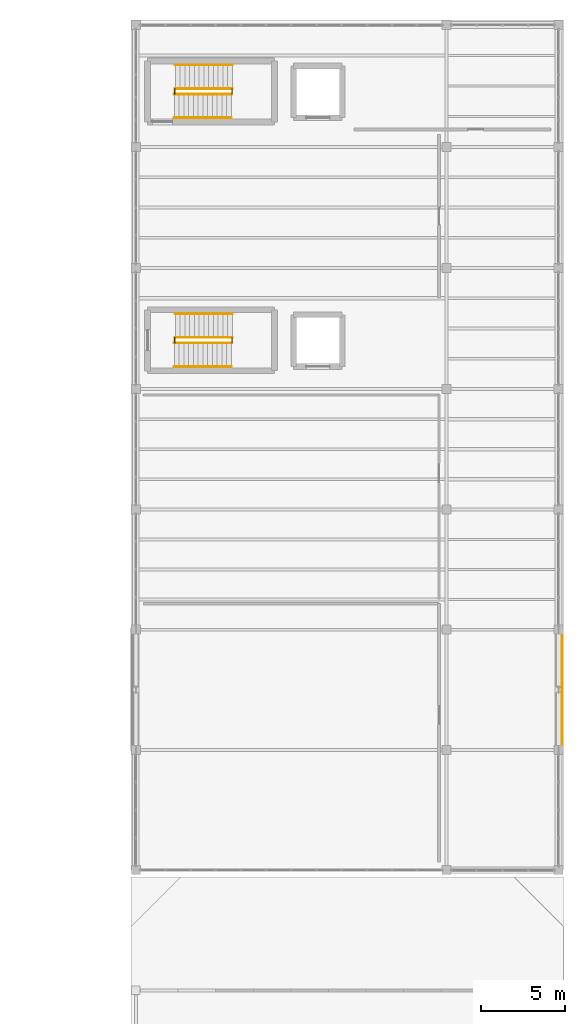
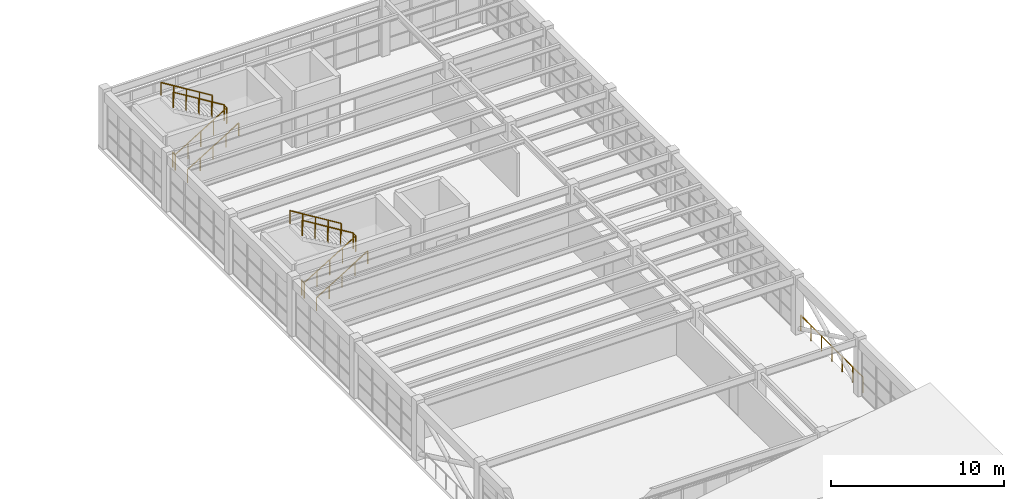
# One storey, part 66 of 66: 13 railings.
"""IFC4 building model written with IfcOpenShell, lengths in metres."""

import ifcopenshell
import ifcopenshell.guid

model = None  # the IFC model being written
_history = None  # IfcOwnerHistory: only IFC2X3 demands one
_inside = {}  # id of a spatial element -> (the spatial element, [elements in it])
_under = {}  # id of a project, library or spatial element -> (it, [spatial elements below it])
_declared = {}  # id of a project -> (the project, [libraries it declares])
_typed = {}  # id of a type object -> (the type object, [elements of that type])
_made_of = {}  # id of a material, layer set ... -> (it, [elements and type objects made of it])


def new_model(schema):
    """Start an empty IFC model of exactly this schema.

    Asked for "IFC4X3", IfcOpenShell would pick the latest addendum, in which some entities
    have other attributes; the version numbers below select the first issue.
    IFC2X3 requires an IfcOwnerHistory on every rooted entity: one is made here for all.
    """
    global model, _history
    if schema == "IFC4X3":
        model = ifcopenshell.file(schema_version=(4, 3, 0, 0))
    else:
        model = ifcopenshell.file(schema=schema)
    _inside.clear()
    _under.clear()
    _declared.clear()
    _typed.clear()
    _made_of.clear()
    _history = None
    if model.schema == "IFC2X3":
        org = make("IfcOrganization", Name="unknown")
        user = make(
            "IfcPersonAndOrganization",
            ThePerson=make("IfcPerson", FamilyName="unknown"),
            TheOrganization=org,
        )
        app = make(
            "IfcApplication",
            ApplicationDeveloper=org,
            Version="unknown",
            ApplicationFullName="unknown",
            ApplicationIdentifier="unknown",
        )
        _history = make(
            "IfcOwnerHistory",
            OwningUser=user,
            OwningApplication=app,
            ChangeAction="ADDED",
            CreationDate=0,
        )
    return model


def make(cls, **values):
    """One entity of the class cls with the attributes given. An attribute that is None is left unset."""
    return model.create_entity(
        cls, **{name: value for name, value in values.items() if value is not None}
    )


def rooted(cls, **values):
    """An entity with a GlobalId (a new one), such as an element, a storey or a relation."""
    return make(cls, GlobalId=ifcopenshell.guid.new(), OwnerHistory=_history, **values)


def si_unit(unit_type, name, prefix=None):
    """IfcSIUnit, for example si_unit("LENGTHUNIT", "METRE", prefix="MILLI")."""
    return make("IfcSIUnit", UnitType=unit_type, Prefix=prefix, Name=name)


def assignment(units):
    """IfcUnitAssignment: the units of a project."""
    return None if units is None else make("IfcUnitAssignment", Units=units)


def point(xyz):
    """IfcCartesianPoint."""
    return None if xyz is None else make("IfcCartesianPoint", Coordinates=xyz)


def direction(xyz):
    """IfcDirection."""
    return None if xyz is None else make("IfcDirection", DirectionRatios=xyz)


def frame(location, z_axis=None, x_axis=None):
    """IfcAxis2Placement3D, a coordinate frame: its origin and axes. An axis left out is left unset."""
    return make(
        "IfcAxis2Placement3D",
        Location=point(location),
        Axis=direction(z_axis),
        RefDirection=direction(x_axis),
    )


def frame_2d(location, x_axis=None):
    """IfcAxis2Placement2D, a coordinate frame in the plane: its origin and x axis."""
    return make(
        "IfcAxis2Placement2D", Location=point(location), RefDirection=direction(x_axis)
    )


def origin():
    """The frame at (0, 0, 0) with its axes left unset."""
    return frame((0.0, 0.0, 0.0))


def origin_2d():
    """The frame at (0, 0) in the plane with its x axis left unset."""
    return frame_2d((0.0, 0.0))


def place(relative_to, where):
    """IfcLocalPlacement: puts the frame where relative to a parent placement (None: the world)."""
    return make(
        "IfcLocalPlacement", PlacementRelTo=relative_to, RelativePlacement=where
    )


def context(
    kind, dimensions, precision=None, world=None, true_north=None, identifier=None
):
    """IfcGeometricRepresentationContext, for example the 3D "Model" context."""
    return make(
        "IfcGeometricRepresentationContext",
        ContextIdentifier=identifier,
        ContextType=kind,
        CoordinateSpaceDimension=dimensions,
        Precision=precision,
        WorldCoordinateSystem=world,
        TrueNorth=true_north,
    )


def subcontext(parent, identifier, kind, view, scale=None):
    """IfcGeometricRepresentationSubContext, for example "Body" below "Model"."""
    return make(
        "IfcGeometricRepresentationSubContext",
        ContextIdentifier=identifier,
        ContextType=kind,
        ParentContext=parent,
        TargetScale=scale,
        TargetView=view,
    )


def project(units=None, contexts=None):
    """IfcProject with its units and contexts."""
    return rooted(
        "IfcProject",
        Name="project",
        RepresentationContexts=contexts,
        UnitsInContext=assignment(units),
    )


def spatial(cls, under=None, at=None, **own):
    """A site, building, storey or space (cls), placed at a placement, below another one or the project."""
    s = rooted(cls, ObjectPlacement=at, **own)
    if under is not None:
        _under.setdefault(under.id(), (under, []))[1].append(s)
    return s


def profile(cls, at=None, kind="AREA", **sizes):
    """A parametric profile (cls). Its sizes go by their IFC names, for example OverallWidth=200.0."""
    return make(cls, ProfileType=kind, Position=at, **sizes)


def circle(**sizes):
    """IfcCircleProfileDef."""
    return profile("IfcCircleProfileDef", **sizes)


def extrude(swept, where, along, depth):
    """IfcExtrudedAreaSolid: the profile swept, set in the frame where, extruded along a direction by depth."""
    return make(
        "IfcExtrudedAreaSolid",
        SweptArea=swept,
        Position=where,
        ExtrudedDirection=direction(along),
        Depth=depth,
    )


def shape(context_of_items, identifier, shape_type, items):
    """IfcShapeRepresentation: the items that make up one representation, for example the "Body"."""
    return make(
        "IfcShapeRepresentation",
        ContextOfItems=context_of_items,
        RepresentationIdentifier=identifier,
        RepresentationType=shape_type,
        Items=items,
    )


def material(Name=None, Category=None):
    """IfcMaterial."""
    return make("IfcMaterial", Name=Name, Category=Category)


def made_of(thing, what):
    """Note that an element or type object is made of a material, layer set ...; save() writes the relation."""
    if what is not None:
        _made_of.setdefault(what.id(), (what, []))[1].append(thing)
    return thing


def type_object(cls, material=None, **own):
    """A type object (cls), such as IfcWallType, which elements share."""
    return made_of(rooted(cls, **own), material)


def element(
    cls,
    number,
    at=None,
    inside=None,
    cuts=None,
    type_object=None,
    material=None,
    context=None,
    identifier="Body",
    shape_type=None,
    held_by="IfcProductDefinitionShape",
    body=None,
    shapes=None,
    **own,
):
    """One element of the class cls, such as IfcWall. Its Tag is "e" and its number.

    at: its placement. inside: the storey or other place that contains it. cuts: it is an
    opening in that element (IfcRelVoidsElement). A single representation is given by context,
    identifier, shape_type and body (its items); several are given by shapes. held_by: the class
    of the entity that holds the representations. save() writes the other relations.
    """
    e = rooted(cls, Tag="e%d" % number, ObjectPlacement=at, **own)
    if body is not None:
        shapes = [shape(context, identifier, shape_type, body)]
    if shapes is not None:
        e.Representation = make(held_by, Representations=shapes)
    if inside is not None:
        _inside.setdefault(inside.id(), (inside, []))[1].append(e)
    if cuts is not None:
        rooted(
            "IfcRelVoidsElement", RelatingBuildingElement=cuts, RelatedOpeningElement=e
        )
    if type_object is not None:
        _typed.setdefault(type_object.id(), (type_object, []))[1].append(e)
    return made_of(e, material)


def aggregate(whole, parts):
    """IfcRelAggregates: a whole, such as a stair, and the parts it consists of."""
    return rooted("IfcRelAggregates", RelatingObject=whole, RelatedObjects=parts)


def save(model, path):
    """Write the relations noted so far, then the file.

    IfcRelAggregates (storeys below a building ...), IfcRelContainedInSpatialStructure (elements
    in a storey), IfcRelDefinesByType, IfcRelAssociatesMaterial and IfcRelDeclares: one each for
    every whole, place, type object, material and project.
    """
    for whole, parts in _under.values():
        aggregate(whole, parts)
    for where, things in _inside.values():
        rooted(
            "IfcRelContainedInSpatialStructure",
            RelatedElements=things,
            RelatingStructure=where,
        )
    for kind, things in _typed.values():
        rooted("IfcRelDefinesByType", RelatedObjects=things, RelatingType=kind)
    for what, things in _made_of.values():
        rooted("IfcRelAssociatesMaterial", RelatedObjects=things, RelatingMaterial=what)
    for by, libraries in _declared.values():
        rooted("IfcRelDeclares", RelatingContext=by, RelatedDefinitions=libraries)
    model.write(path)


model = new_model("IFC4")

# Units and contexts
model_context = context("Model", 3, precision=1e-05, world=origin(), true_north=direction((0.0, 1.0)))
body_context = subcontext(model_context, "Body", "Model", "MODEL_VIEW")
ifc_project = project(units=[si_unit("LENGTHUNIT", "METRE"), si_unit("AREAUNIT", "SQUARE_METRE"), si_unit("VOLUMEUNIT", "CUBIC_METRE"), si_unit("PLANEANGLEUNIT", "RADIAN"), si_unit("MASSUNIT", "GRAM", prefix="KILO")], contexts=[model_context])

# Site, building, storey
site_placement = place(None, origin())
site = spatial("IfcSite", under=ifc_project, at=site_placement, CompositionType="ELEMENT")
building_placement = place(site_placement, origin())
building = spatial("IfcBuilding", under=site, at=building_placement, Name="Candilejo Ridge Gondola Terminal", CompositionType="ELEMENT")
storey_placement = place(building_placement, frame((0.0, 0.0, 14.39990234375)))
storey = spatial("IfcBuildingStorey", under=building, at=storey_placement, Name="L03", CompositionType="ELEMENT", Elevation=14.39990234375)

# Railings
ifc_material_1 = material(Name="Hot-dip galvanised steel ASTM A500 Grade B", Category="steel")
railing_type_1 = type_object("IfcRailingType", Name="ARC-GUARD-GLASS-1150", PredefinedType="GUARDRAIL", material=ifc_material_1)
railing_1_placement = place(storey_placement, frame((175.52001953125, 77.449951171875, 0.0)))
element("IfcRailing", 1, at=railing_1_placement, inside=storey, type_object=railing_type_1, Name="Deck edge guard GR-V5-L03-BRE", PredefinedType="GUARDRAIL", context=body_context, shape_type="SweptSolid", body=[
    extrude(circle(Radius=0.02392578125, at=origin_2d()), frame((0.0, 0.0, 1.076171875), z_axis=(0.0, 1.0, 0.0), x_axis=(-1.0, 0.0, 0.0)), (0.0, 0.0, 1.0), 7.199951171875),
    extrude(circle(Radius=0.02099609375, at=origin_2d()), origin(), (0.0, 0.0, 1.0), 1.052001953125),
    extrude(circle(Radius=0.02099609375, at=origin_2d()), frame((0.0, 1.199951171875, 0.0)), (0.0, 0.0, 1.0), 1.052001953125),
    extrude(circle(Radius=0.02099609375, at=origin_2d()), frame((0.0, 2.39990234375, 0.0)), (0.0, 0.0, 1.0), 1.052001953125),
    extrude(circle(Radius=0.02099609375, at=origin_2d()), frame((0.0, 3.60009765625, 0.0)), (0.0, 0.0, 1.0), 1.052001953125),
    extrude(circle(Radius=0.02099609375, at=origin_2d()), frame((0.0, 4.800048828125, 0.0)), (0.0, 0.0, 1.0), 1.052001953125),
    extrude(circle(Radius=0.02099609375, at=origin_2d()), frame((0.0, 6.0, 0.0)), (0.0, 0.0, 1.0), 1.052001953125),
    extrude(circle(Radius=0.02099609375, at=origin_2d()), frame((0.0, 7.199951171875, 0.0)), (0.0, 0.0, 1.0), 1.052001953125),
])
ifc_material_2 = material(Name="Hot-dip galvanised steel ASTM A500 Grade B", Category="steel")
railing_type_2 = type_object("IfcRailingType", Name="ARC-STAIR-GUARD-1100", PredefinedType="GUARDRAIL", material=ifc_material_2)
railing_2_placement = place(storey_placement, frame((152.330078125, 101.81005859375, 0.0)))
element("IfcRailing", 2, at=railing_2_placement, inside=storey, type_object=railing_type_2, Name="Arrival well guard ST-V5A-L02-ARR-L03", PredefinedType="GUARDRAIL", context=body_context, shape_type="SweptSolid", body=[
    extrude(circle(Radius=0.02392578125, at=origin_2d()), frame((0.0, 0.0, 1.076171875), z_axis=(0.0, 1.0, 0.0), x_axis=(-1.0, 0.0, 0.0)), (0.0, 0.0, 1.0), 0.329833984375),
    extrude(circle(Radius=0.02099609375, at=origin_2d()), origin(), (0.0, 0.0, 1.0), 1.052001953125),
    extrude(circle(Radius=0.02099609375, at=origin_2d()), frame((0.0, 0.329833984375, 0.0)), (0.0, 0.0, 1.0), 1.052001953125),
])
railing_3_placement = place(storey_placement, frame((152.300048828125, 101.81005859375, 0.0)))
element("IfcRailing", 3, at=railing_3_placement, inside=storey, type_object=railing_type_2, Name="Flight well guard ST-V5A-F05", PredefinedType="GUARDRAIL", context=body_context, shape_type="SweptSolid", body=[
    extrude(circle(Radius=0.02392578125, at=origin_2d()), frame((0.0, 0.0, 1.076171875), z_axis=(0.852155044755, 0.0, 0.523289384279), x_axis=(0.0, 1.0, 0.0)), (0.0, 0.0, 1.0), 4.01318359375),
    extrude(circle(Radius=0.02099609375, at=origin_2d()), origin(), (0.0, 0.0, 1.0), 1.052001953125),
    extrude(circle(Radius=0.02099609375, at=origin_2d()), frame((0.85498046875, 0.0, 0.52490234375)), (0.0, 0.0, 1.0), 1.052001953125),
    extrude(circle(Radius=0.02099609375, at=origin_2d()), frame((1.7099609375, 0.0, 1.050048828125)), (0.0, 0.0, 1.0), 1.052001953125),
    extrude(circle(Radius=0.02099609375, at=origin_2d()), frame((2.56494140625, 0.0, 1.5751953125)), (0.0, 0.0, 1.0), 1.052001953125),
    extrude(circle(Radius=0.02099609375, at=origin_2d()), frame((3.419921875, 0.0, 2.10009765625)), (0.0, 0.0, 1.0), 1.052001953125),
])
railing_4_placement = place(storey_placement, frame((155.75, 101.81005859375, 2.10009765625)))
element("IfcRailing", 4, at=railing_4_placement, inside=storey, type_object=railing_type_2, Name="Half-landing slot guard ST-V5A-LND-03", PredefinedType="GUARDRAIL", context=body_context, shape_type="SweptSolid", body=[
    extrude(circle(Radius=0.02392578125, at=origin_2d()), frame((0.0, 0.0, 1.076171875), z_axis=(0.0, 1.0, 0.0), x_axis=(-1.0, 0.0, 0.0)), (0.0, 0.0, 1.0), 0.329833984375),
    extrude(circle(Radius=0.02099609375, at=origin_2d()), origin(), (0.0, 0.0, 1.0), 1.052001953125),
    extrude(circle(Radius=0.02099609375, at=origin_2d()), frame((0.0, 0.329833984375, 0.0)), (0.0, 0.0, 1.0), 1.052001953125),
])
railing_5_placement = place(storey_placement, frame((155.780029296875, 102.139892578125, 2.10009765625)))
element("IfcRailing", 5, at=railing_5_placement, inside=storey, type_object=railing_type_2, Name="Flight well guard ST-V5A-F06", PredefinedType="GUARDRAIL", context=body_context, shape_type="SweptSolid", body=[
    extrude(circle(Radius=0.02392578125, at=origin_2d()), frame((0.0, 0.0, 1.076171875), z_axis=(-0.852155044755, 0.0, 0.523289384279), x_axis=(0.0, -1.0, 0.0)), (0.0, 0.0, 1.0), 4.01318359375),
    extrude(circle(Radius=0.02099609375, at=origin_2d()), origin(), (0.0, 0.0, 1.0), 1.052001953125),
    extrude(circle(Radius=0.02099609375, at=origin_2d()), frame((-0.85498046875, 0.0, 0.52490234375)), (0.0, 0.0, 1.0), 1.052001953125),
    extrude(circle(Radius=0.02099609375, at=origin_2d()), frame((-1.7099609375, 0.0, 1.050048828125)), (0.0, 0.0, 1.0), 1.052001953125),
    extrude(circle(Radius=0.02099609375, at=origin_2d()), frame((-2.56494140625, 0.0, 1.5751953125)), (0.0, 0.0, 1.0), 1.052001953125),
    extrude(circle(Radius=0.02099609375, at=origin_2d()), frame((-3.419921875, 0.0, 2.10009765625)), (0.0, 0.0, 1.0), 1.052001953125),
])
railing_6_placement = place(storey_placement, frame((152.330078125, 116.7099609375, 0.0)))
element("IfcRailing", 6, at=railing_6_placement, inside=storey, type_object=railing_type_2, Name="Arrival well guard ST-V5B-L02-ARR-L03", PredefinedType="GUARDRAIL", context=body_context, shape_type="SweptSolid", body=[
    extrude(circle(Radius=0.02392578125, at=origin_2d()), frame((0.0, 0.0, 1.076171875), z_axis=(0.0, 1.0, 0.0), x_axis=(-1.0, 0.0, 0.0)), (0.0, 0.0, 1.0), 0.330078125),
    extrude(circle(Radius=0.02099609375, at=origin_2d()), origin(), (0.0, 0.0, 1.0), 1.052001953125),
    extrude(circle(Radius=0.02099609375, at=origin_2d()), frame((0.0, 0.330078125, 0.0)), (0.0, 0.0, 1.0), 1.052001953125),
])
railing_7_placement = place(storey_placement, frame((152.300048828125, 116.7099609375, 0.0)))
element("IfcRailing", 7, at=railing_7_placement, inside=storey, type_object=railing_type_2, Name="Flight well guard ST-V5B-F05", PredefinedType="GUARDRAIL", context=body_context, shape_type="SweptSolid", body=[
    extrude(circle(Radius=0.02392578125, at=origin_2d()), frame((0.0, 0.0, 1.076171875), z_axis=(0.852155044755, 0.0, 0.523289384279), x_axis=(0.0, 1.0, 0.0)), (0.0, 0.0, 1.0), 4.01318359375),
    extrude(circle(Radius=0.02099609375, at=origin_2d()), origin(), (0.0, 0.0, 1.0), 1.052001953125),
    extrude(circle(Radius=0.02099609375, at=origin_2d()), frame((0.85498046875, 0.0, 0.52490234375)), (0.0, 0.0, 1.0), 1.052001953125),
    extrude(circle(Radius=0.02099609375, at=origin_2d()), frame((1.7099609375, 0.0, 1.050048828125)), (0.0, 0.0, 1.0), 1.052001953125),
    extrude(circle(Radius=0.02099609375, at=origin_2d()), frame((2.56494140625, 0.0, 1.5751953125)), (0.0, 0.0, 1.0), 1.052001953125),
    extrude(circle(Radius=0.02099609375, at=origin_2d()), frame((3.419921875, 0.0, 2.10009765625)), (0.0, 0.0, 1.0), 1.052001953125),
])
railing_8_placement = place(storey_placement, frame((155.75, 116.7099609375, 2.10009765625)))
element("IfcRailing", 8, at=railing_8_placement, inside=storey, type_object=railing_type_2, Name="Half-landing slot guard ST-V5B-LND-03", PredefinedType="GUARDRAIL", context=body_context, shape_type="SweptSolid", body=[
    extrude(circle(Radius=0.02392578125, at=origin_2d()), frame((0.0, 0.0, 1.076171875), z_axis=(0.0, 1.0, 0.0), x_axis=(-1.0, 0.0, 0.0)), (0.0, 0.0, 1.0), 0.330078125),
    extrude(circle(Radius=0.02099609375, at=origin_2d()), origin(), (0.0, 0.0, 1.0), 1.052001953125),
    extrude(circle(Radius=0.02099609375, at=origin_2d()), frame((0.0, 0.330078125, 0.0)), (0.0, 0.0, 1.0), 1.052001953125),
])
railing_9_placement = place(storey_placement, frame((155.780029296875, 117.0400390625, 2.10009765625)))
element("IfcRailing", 9, at=railing_9_placement, inside=storey, type_object=railing_type_2, Name="Flight well guard ST-V5B-F06", PredefinedType="GUARDRAIL", context=body_context, shape_type="SweptSolid", body=[
    extrude(circle(Radius=0.02392578125, at=origin_2d()), frame((0.0, 0.0, 1.076171875), z_axis=(-0.852155044755, 0.0, 0.523289384279), x_axis=(0.0, -1.0, 0.0)), (0.0, 0.0, 1.0), 4.01318359375),
    extrude(circle(Radius=0.02099609375, at=origin_2d()), origin(), (0.0, 0.0, 1.0), 1.052001953125),
    extrude(circle(Radius=0.02099609375, at=origin_2d()), frame((-0.85498046875, 0.0, 0.52490234375)), (0.0, 0.0, 1.0), 1.052001953125),
    extrude(circle(Radius=0.02099609375, at=origin_2d()), frame((-1.7099609375, 0.0, 1.050048828125)), (0.0, 0.0, 1.0), 1.052001953125),
    extrude(circle(Radius=0.02099609375, at=origin_2d()), frame((-2.56494140625, 0.0, 1.5751953125)), (0.0, 0.0, 1.0), 1.052001953125),
    extrude(circle(Radius=0.02099609375, at=origin_2d()), frame((-3.419921875, 0.0, 2.10009765625)), (0.0, 0.0, 1.0), 1.052001953125),
])
ifc_material_3 = material(Name="Brushed stainless steel AISI 316", Category="steel")
railing_type_3 = type_object("IfcRailingType", Name="ARC-STAIR-HANDRAIL-920", PredefinedType="HANDRAIL", material=ifc_material_3)
railing_10_placement = place(storey_placement, frame((152.300048828125, 100.389892578125, 0.0)))
element("IfcRailing", 10, at=railing_10_placement, inside=storey, type_object=railing_type_3, Name="Wall handrail ST-V5A-F05", PredefinedType="HANDRAIL", context=body_context, shape_type="SweptSolid", body=[
    extrude(circle(Radius=0.02392578125, at=origin_2d()), frame((0.0, 0.0, 0.89599609375), z_axis=(0.852155044755, 0.0, 0.523289384279), x_axis=(0.0, 1.0, 0.0)), (0.0, 0.0, 1.0), 4.01318359375),
    extrude(circle(Radius=0.02099609375, at=origin_2d()), origin(), (0.0, 0.0, 1.0), 0.871826171875),
    extrude(circle(Radius=0.02099609375, at=origin_2d()), frame((0.85498046875, 0.0, 0.52490234375)), (0.0, 0.0, 1.0), 0.871826171875),
    extrude(circle(Radius=0.02099609375, at=origin_2d()), frame((1.7099609375, 0.0, 1.050048828125)), (0.0, 0.0, 1.0), 0.871826171875),
    extrude(circle(Radius=0.02099609375, at=origin_2d()), frame((2.56494140625, 0.0, 1.5751953125)), (0.0, 0.0, 1.0), 0.871826171875),
    extrude(circle(Radius=0.02099609375, at=origin_2d()), frame((3.419921875, 0.0, 2.10009765625)), (0.0, 0.0, 1.0), 0.871826171875),
])
railing_11_placement = place(storey_placement, frame((155.780029296875, 103.56005859375, 2.10009765625)))
element("IfcRailing", 11, at=railing_11_placement, inside=storey, type_object=railing_type_3, Name="Wall handrail ST-V5A-F06", PredefinedType="HANDRAIL", context=body_context, shape_type="SweptSolid", body=[
    extrude(circle(Radius=0.02392578125, at=origin_2d()), frame((0.0, 0.0, 0.89599609375), z_axis=(-0.852155044755, 0.0, 0.523289384279), x_axis=(0.0, -1.0, 0.0)), (0.0, 0.0, 1.0), 4.01318359375),
    extrude(circle(Radius=0.02099609375, at=origin_2d()), origin(), (0.0, 0.0, 1.0), 0.871826171875),
    extrude(circle(Radius=0.02099609375, at=origin_2d()), frame((-0.85498046875, 0.0, 0.52490234375)), (0.0, 0.0, 1.0), 0.871826171875),
    extrude(circle(Radius=0.02099609375, at=origin_2d()), frame((-1.7099609375, 0.0, 1.050048828125)), (0.0, 0.0, 1.0), 0.871826171875),
    extrude(circle(Radius=0.02099609375, at=origin_2d()), frame((-2.56494140625, 0.0, 1.5751953125)), (0.0, 0.0, 1.0), 0.871826171875),
    extrude(circle(Radius=0.02099609375, at=origin_2d()), frame((-3.419921875, 0.0, 2.10009765625)), (0.0, 0.0, 1.0), 0.871826171875),
])
railing_12_placement = place(storey_placement, frame((152.300048828125, 115.2900390625, 0.0)))
element("IfcRailing", 12, at=railing_12_placement, inside=storey, type_object=railing_type_3, Name="Wall handrail ST-V5B-F05", PredefinedType="HANDRAIL", context=body_context, shape_type="SweptSolid", body=[
    extrude(circle(Radius=0.02392578125, at=origin_2d()), frame((0.0, 0.0, 0.89599609375), z_axis=(0.852155044755, 0.0, 0.523289384279), x_axis=(0.0, 1.0, 0.0)), (0.0, 0.0, 1.0), 4.01318359375),
    extrude(circle(Radius=0.02099609375, at=origin_2d()), origin(), (0.0, 0.0, 1.0), 0.871826171875),
    extrude(circle(Radius=0.02099609375, at=origin_2d()), frame((0.85498046875, 0.0, 0.52490234375)), (0.0, 0.0, 1.0), 0.871826171875),
    extrude(circle(Radius=0.02099609375, at=origin_2d()), frame((1.7099609375, 0.0, 1.050048828125)), (0.0, 0.0, 1.0), 0.871826171875),
    extrude(circle(Radius=0.02099609375, at=origin_2d()), frame((2.56494140625, 0.0, 1.5751953125)), (0.0, 0.0, 1.0), 0.871826171875),
    extrude(circle(Radius=0.02099609375, at=origin_2d()), frame((3.419921875, 0.0, 2.10009765625)), (0.0, 0.0, 1.0), 0.871826171875),
])
railing_13_placement = place(storey_placement, frame((155.780029296875, 118.4599609375, 2.10009765625)))
element("IfcRailing", 13, at=railing_13_placement, inside=storey, type_object=railing_type_3, Name="Wall handrail ST-V5B-F06", PredefinedType="HANDRAIL", context=body_context, shape_type="SweptSolid", body=[
    extrude(circle(Radius=0.02392578125, at=origin_2d()), frame((0.0, 0.0, 0.89599609375), z_axis=(-0.852155044755, 0.0, 0.523289384279), x_axis=(0.0, -1.0, 0.0)), (0.0, 0.0, 1.0), 4.01318359375),
    extrude(circle(Radius=0.02099609375, at=origin_2d()), origin(), (0.0, 0.0, 1.0), 0.871826171875),
    extrude(circle(Radius=0.02099609375, at=origin_2d()), frame((-0.85498046875, 0.0, 0.52490234375)), (0.0, 0.0, 1.0), 0.871826171875),
    extrude(circle(Radius=0.02099609375, at=origin_2d()), frame((-1.7099609375, 0.0, 1.050048828125)), (0.0, 0.0, 1.0), 0.871826171875),
    extrude(circle(Radius=0.02099609375, at=origin_2d()), frame((-2.56494140625, 0.0, 1.5751953125)), (0.0, 0.0, 1.0), 0.871826171875),
    extrude(circle(Radius=0.02099609375, at=origin_2d()), frame((-3.419921875, 0.0, 2.10009765625)), (0.0, 0.0, 1.0), 0.871826171875),
])

save(model, "model.ifc")
